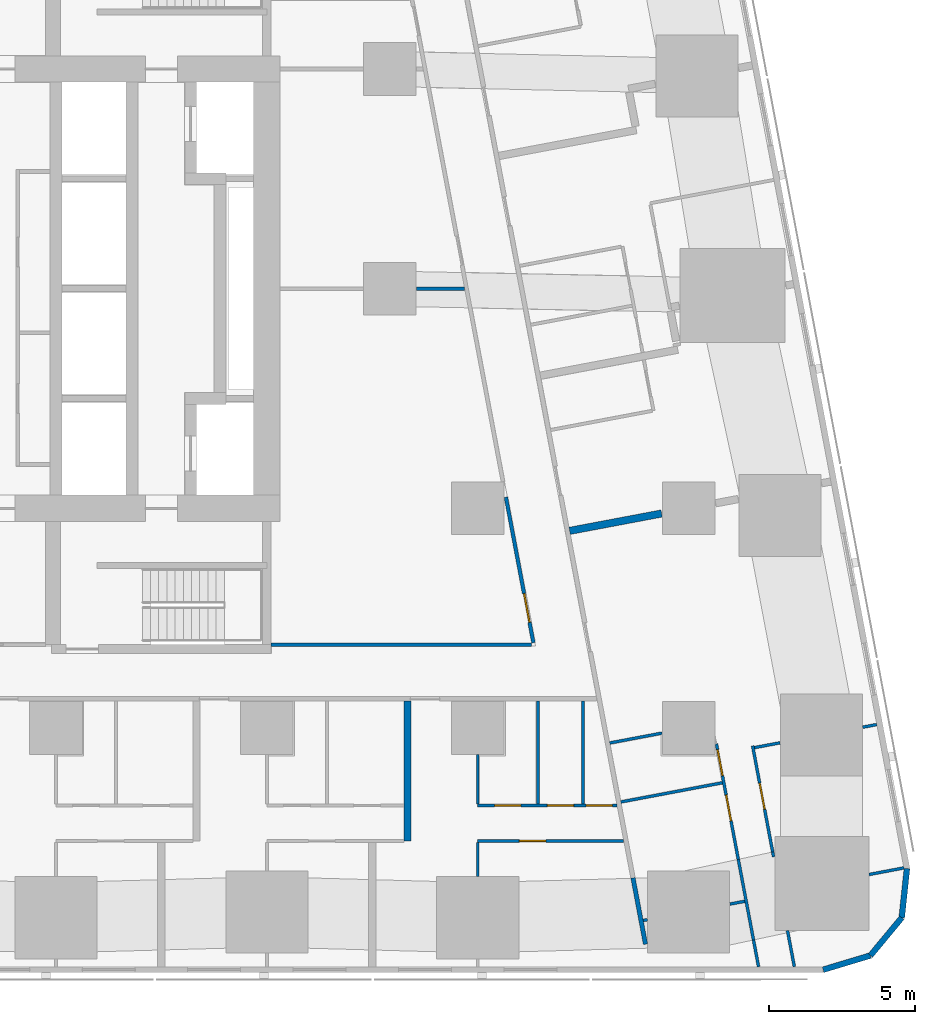
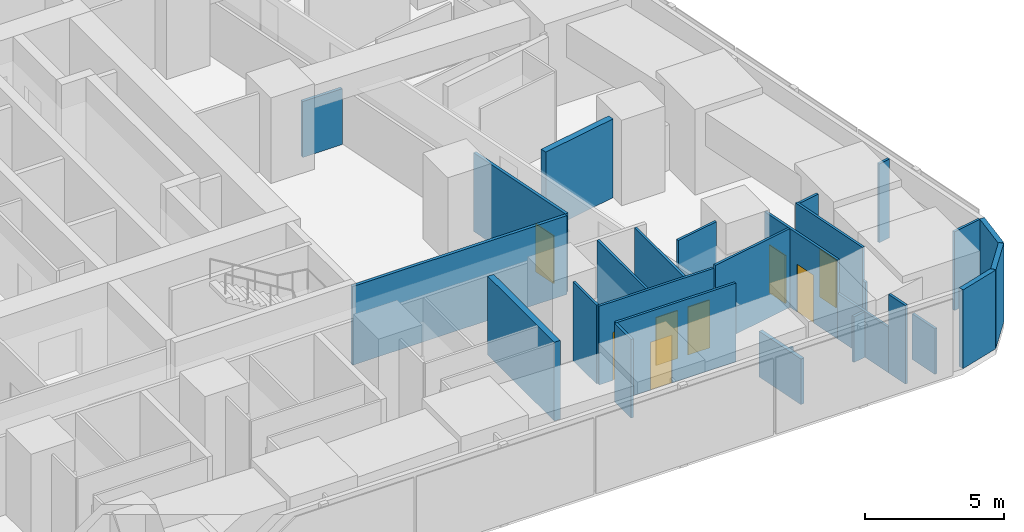
# One storey, part 6 of 15: 28 walls, 8 doors, 8 openings.
"""IFC4 building model written with IfcOpenShell, lengths in metres."""

from ifc_helpers import new_model, si_unit, direction, frame, frame_2d, origin, place, context, subcontext, project, spatial, rectangle, extrude, material, layer, layer_set, type_object, element, fill, save


model = new_model("IFC4")

# Units and contexts
model_context = context("Model", 3, precision=1e-05, world=origin(), true_north=direction((0.0, 1.0)))
body_context = subcontext(model_context, "Body", "Model", "MODEL_VIEW")
ifc_project = project(units=[si_unit("LENGTHUNIT", "METRE"), si_unit("AREAUNIT", "SQUARE_METRE"), si_unit("VOLUMEUNIT", "CUBIC_METRE"), si_unit("PLANEANGLEUNIT", "RADIAN"), si_unit("MASSUNIT", "GRAM", prefix="KILO")], contexts=[model_context])

# Site, building, storey
site_placement = place(None, origin())
site = spatial("IfcSite", under=ifc_project, at=site_placement, CompositionType="ELEMENT")
building_placement = place(site_placement, origin())
building = spatial("IfcBuilding", under=site, at=building_placement, Name="Sheger Commons Tower", CompositionType="ELEMENT")
storey_placement = place(building_placement, frame((0.0, 0.0, 68.75)))
storey = spatial("IfcBuildingStorey", under=building, at=storey_placement, Name="L17", CompositionType="ELEMENT", Elevation=68.75)

# Walls
ifc_material_1 = material(Name="Hollow concrete block masonry, skimmed both sides", Category="masonry")
ifc_layer_1 = layer(ifc_material_1, 0.14990234375)
ifc_layer_set_1 = layer_set([ifc_layer_1], Name="CORRIDOR WALL 150")
wall_type_1 = type_object("IfcWallType", Name="CORRIDOR WALL 150", PredefinedType="SOLIDWALL", material=ifc_layer_set_1)
wall_1_placement = place(storey_placement, frame((41.300048828125, 2.385009765625, 0.0), z_axis=(0.0, 0.0, 1.0), x_axis=(0.185170596553, -0.982706390624, 0.0)))
element("IfcWall", 1, at=wall_1_placement, inside=storey, type_object=wall_type_1, Name="Corridor wall L17", PredefinedType="SOLIDWALL", context=body_context, shape_type="SweptSolid", body=[
    extrude(rectangle(XDim=2.305908203125, YDim=0.14990234375, at=frame_2d((1.15283203125, 0.0))), origin(), (0.0, 0.0, 1.0), 2.0),
])
ifc_material_2 = material(Name="Dense concrete block masonry, plastered both sides (separating wall between flats)", Category="masonry")
ifc_layer_2 = layer(ifc_material_2, 0.25)
ifc_layer_set_2 = layer_set([ifc_layer_2], Name="DEMISING WALL 250")
wall_type_2 = type_object("IfcWallType", Name="DEMISING WALL 250", PredefinedType="SOLIDWALL", material=ifc_layer_set_2)
wall_2_placement = place(storey_placement, frame((33.59912109375, 3.64990234375, 0.0), z_axis=(0.0, 0.0, 1.0), x_axis=(0.0, 1.0, 0.0)))
element("IfcWall", 2, at=wall_2_placement, inside=storey, type_object=wall_type_2, Name="Demising wall L17", PredefinedType="SOLIDWALL", context=body_context, shape_type="SweptSolid", body=[
    extrude(rectangle(XDim=4.775146484375, YDim=0.25, at=frame_2d((2.3876953125, 0.0))), origin(), (0.0, 0.0, 1.0), 3.449951171875),
])
wall_3_placement = place(storey_placement, frame((42.27587890625, 14.824951171875, 0.0), z_axis=(0.0, 0.0, 1.0), x_axis=(-0.982607211054, -0.185696173318, 0.0)))
element("IfcWall", 3, at=wall_3_placement, inside=storey, type_object=wall_type_2, Name="Demising wall L17", PredefinedType="SOLIDWALL", context=body_context, shape_type="SweptSolid", body=[
    extrude(rectangle(XDim=3.193603515625, YDim=0.25, at=frame_2d((1.5966796875, 0.0))), origin(), (0.0, 0.0, 1.0), 3.449951171875),
])
ifc_material_3 = material(Name="Rendered concrete block masonry, dark grey", Category="masonry")
ifc_layer_3 = layer(ifc_material_3, 0.199951171875)
ifc_layer_set_3 = layer_set([ifc_layer_3], Name="FACADE WALL 200")
wall_type_3 = type_object("IfcWallType", Name="FACADE WALL 200", PredefinedType="SOLIDWALL", material=ifc_layer_set_3)
wall_4_placement = place(storey_placement, frame((47.791015625, -0.75, 0.0), z_axis=(0.0, 0.0, 1.0), x_axis=(0.957455232626, 0.288581838509, 0.0)))
element("IfcWall", 4, at=wall_4_placement, inside=storey, type_object=wall_type_3, Name="Facade wall L17", PredefinedType="SOLIDWALL", context=body_context, shape_type="SweptSolid", body=[
    extrude(rectangle(XDim=1.687744140625, YDim=0.199951171875, at=frame_2d((0.84375, 0.0))), origin(), (0.0, 0.0, 1.0), 3.449951171875),
])
wall_5_placement = place(storey_placement, frame((49.406982421875, -0.262939453125, 0.0), z_axis=(0.0, 0.0, 1.0), x_axis=(0.638042593423, 0.770001070764, 0.0)))
element("IfcWall", 5, at=wall_5_placement, inside=storey, type_object=wall_type_3, Name="Facade wall L17", PredefinedType="SOLIDWALL", context=body_context, shape_type="SweptSolid", body=[
    extrude(rectangle(XDim=1.672607421875, YDim=0.199951171875, at=frame_2d((0.83642578125, 0.0))), origin(), (0.0, 0.0, 1.0), 3.449951171875),
])
wall_6_placement = place(storey_placement, frame((50.47412109375, 1.02490234375, 0.0), z_axis=(0.0, 0.0, 1.0), x_axis=(0.106047815515, 0.994361031429, 0.0)))
element("IfcWall", 6, at=wall_6_placement, inside=storey, type_object=wall_type_3, Name="Facade wall L17", PredefinedType="SOLIDWALL", context=body_context, shape_type="SweptSolid", body=[
    extrude(rectangle(XDim=1.6875, YDim=0.199951171875, at=frame_2d((0.84375, 0.0))), origin(), (0.0, 0.0, 1.0), 3.449951171875),
])

# Wall, opening, door
ifc_material_4 = material(Name="Gypsum board on steel studs", Category="steel")
ifc_layer_4 = layer(ifc_material_4, 0.10009765625)
ifc_layer_set_4 = layer_set([ifc_layer_4], Name="PARTITION 100")
wall_type_4 = type_object("IfcWallType", Name="PARTITION 100", PredefinedType="PARTITIONING", material=ifc_layer_set_4)
wall_7_placement = place(storey_placement, frame((40.97509765625, 3.64990234375, 0.0), z_axis=(0.0, 0.0, 1.0), x_axis=(-1.0, 0.0, 0.0)))
wall_7 = element("IfcWall", 7, at=wall_7_placement, inside=storey, type_object=wall_type_4, Name="Partition L17", PredefinedType="PARTITIONING", context=body_context, shape_type="SweptSolid", body=[
    extrude(rectangle(XDim=4.97509765625, YDim=0.10009765625, at=frame_2d((2.487548828125, 0.0))), origin(), (0.0, 0.0, 1.0), 3.449951171875),
])
opening_1_placement = place(wall_7_placement, frame((2.64990234375, 0.0, 0.0)))
opening_1 = element("IfcOpeningElement", 8, at=opening_1_placement, cuts=wall_7, Name="Opening D2", PredefinedType="OPENING", context=body_context, shape_type="SweptSolid", body=[
    extrude(rectangle(XDim=0.89990234375, YDim=2.10009765625, at=frame_2d((0.449951171875, 1.050048828125))), frame((0.0, 0.06005859375, 0.0), z_axis=(0.0, -1.0, 0.0), x_axis=(1.0, 0.0, 0.0)), (0.0, 0.0, 1.0), 0.1201171875),
])
ifc_material_5 = material(Name="Timber door set", Category="wood")
door_type_1 = type_object("IfcDoorType", Name="INTERNAL DOOR 900x2100", OperationType="NOTDEFINED", PredefinedType="DOOR", material=ifc_material_5)
door_1_placement = place(opening_1_placement, origin())
door_1 = element("IfcDoor", 9, at=door_1_placement, inside=storey, type_object=door_type_1, Name="Main bedroom door", OperationType="SINGLE_SWING_RIGHT", OverallHeight=2.10009765625, OverallWidth=0.89990234375, PredefinedType="DOOR", context=body_context, shape_type="SweptSolid", body=[
    extrude(rectangle(XDim=0.89990234375, YDim=2.10009765625, at=frame_2d((0.449951171875, 1.050048828125))), frame((0.0, 0.02490234375, 0.0), z_axis=(0.0, -1.0, 0.0), x_axis=(1.0, 0.0, 0.0)), (0.0, 0.0, 1.0), 0.050048828125),
])
fill(opening_1, door_1)

# Wall, openings, doors
wall_8_placement = place(storey_placement, frame((40.748046875, 4.85009765625, 0.0), z_axis=(0.0, 0.0, 1.0), x_axis=(-1.0, 0.0, 0.0)))
wall_8 = element("IfcWall", 10, at=wall_8_placement, inside=storey, type_object=wall_type_4, Name="Partition L17", PredefinedType="PARTITIONING", context=body_context, shape_type="SweptSolid", body=[
    extrude(rectangle(XDim=4.748046875, YDim=0.10009765625, at=frame_2d((2.3740234375, 0.0))), origin(), (0.0, 0.0, 1.0), 3.449951171875),
])
opening_2_placement = place(wall_8_placement, frame((3.27294921875, 0.0, 0.0)))
opening_2 = element("IfcOpeningElement", 11, at=opening_2_placement, cuts=wall_8, Name="Opening D2", PredefinedType="OPENING", context=body_context, shape_type="SweptSolid", body=[
    extrude(rectangle(XDim=0.89990234375, YDim=2.10009765625, at=frame_2d((0.449951171875, 1.050048828125))), frame((0.0, 0.06005859375, 0.0), z_axis=(0.0, -1.0, 0.0), x_axis=(1.0, 0.0, 0.0)), (0.0, 0.0, 1.0), 0.1201171875),
])
opening_3_placement = place(wall_8_placement, frame((0.14990234375, 0.0, 0.0)))
opening_3 = element("IfcOpeningElement", 12, at=opening_3_placement, cuts=wall_8, Name="Opening D2", PredefinedType="OPENING", context=body_context, shape_type="SweptSolid", body=[
    extrude(rectangle(XDim=0.89990234375, YDim=2.10009765625, at=frame_2d((0.449951171875, 1.050048828125))), frame((0.0, 0.06005859375, 0.0), z_axis=(0.0, -1.0, 0.0), x_axis=(1.0, 0.0, 0.0)), (0.0, 0.0, 1.0), 0.1201171875),
])
opening_4_placement = place(wall_8_placement, frame((1.472900390625, 0.0, 0.0)))
opening_4 = element("IfcOpeningElement", 13, at=opening_4_placement, cuts=wall_8, Name="Opening D2", PredefinedType="OPENING", context=body_context, shape_type="SweptSolid", body=[
    extrude(rectangle(XDim=0.89990234375, YDim=2.10009765625, at=frame_2d((0.449951171875, 1.050048828125))), frame((0.0, 0.06005859375, 0.0), z_axis=(0.0, -1.0, 0.0), x_axis=(1.0, 0.0, 0.0)), (0.0, 0.0, 1.0), 0.1201171875),
])
door_2_placement = place(opening_2_placement, origin())
door_2 = element("IfcDoor", 14, at=door_2_placement, inside=storey, type_object=door_type_1, Name="Bathroom door", OperationType="SINGLE_SWING_LEFT", OverallHeight=2.10009765625, OverallWidth=0.89990234375, PredefinedType="DOOR", context=body_context, shape_type="SweptSolid", body=[
    extrude(rectangle(XDim=0.89990234375, YDim=2.10009765625, at=frame_2d((0.449951171875, 1.050048828125))), frame((0.0, 0.02490234375, 0.0), z_axis=(0.0, -1.0, 0.0), x_axis=(1.0, 0.0, 0.0)), (0.0, 0.0, 1.0), 0.050048828125),
])
fill(opening_2, door_2)
door_3_placement = place(opening_3_placement, origin())
door_3 = element("IfcDoor", 15, at=door_3_placement, inside=storey, type_object=door_type_1, Name="Laundry room door", OperationType="SINGLE_SWING_RIGHT", OverallHeight=2.10009765625, OverallWidth=0.89990234375, PredefinedType="DOOR", context=body_context, shape_type="SweptSolid", body=[
    extrude(rectangle(XDim=0.89990234375, YDim=2.10009765625, at=frame_2d((0.449951171875, 1.050048828125))), frame((0.0, 0.02490234375, 0.0), z_axis=(0.0, -1.0, 0.0), x_axis=(1.0, 0.0, 0.0)), (0.0, 0.0, 1.0), 0.050048828125),
])
fill(opening_3, door_3)
door_4_placement = place(opening_4_placement, origin())
door_4 = element("IfcDoor", 16, at=door_4_placement, inside=storey, type_object=door_type_1, Name="Store door", OperationType="SINGLE_SWING_LEFT", OverallHeight=2.10009765625, OverallWidth=0.89990234375, PredefinedType="DOOR", context=body_context, shape_type="SweptSolid", body=[
    extrude(rectangle(XDim=0.89990234375, YDim=2.10009765625, at=frame_2d((0.449951171875, 1.050048828125))), frame((0.0, 0.02490234375, 0.0), z_axis=(0.0, -1.0, 0.0), x_axis=(1.0, 0.0, 0.0)), (0.0, 0.0, 1.0), 0.050048828125),
])
fill(opening_4, door_4)

# Walls
wall_9_placement = place(storey_placement, frame((36.0, 2.426025390625, 0.0), z_axis=(0.0, 0.0, 1.0), x_axis=(0.0, 1.0, 0.0)))
element("IfcWall", 17, at=wall_9_placement, inside=storey, type_object=wall_type_4, Name="Partition L17", PredefinedType="PARTITIONING", context=body_context, shape_type="SweptSolid", body=[
    extrude(rectangle(XDim=1.174072265625, YDim=0.10009765625, at=frame_2d((0.5869140625, 0.0))), origin(), (0.0, 0.0, 1.0), 3.449951171875),
])
wall_10_placement = place(storey_placement, frame((36.0, 4.89990234375, 0.0), z_axis=(0.0, 0.0, 1.0), x_axis=(0.0, 1.0, 0.0)))
element("IfcWall", 18, at=wall_10_placement, inside=storey, type_object=wall_type_4, Name="Partition L17", PredefinedType="PARTITIONING", context=body_context, shape_type="SweptSolid", body=[
    extrude(rectangle(XDim=1.69921875, YDim=0.10009765625, at=frame_2d((0.849609375, 0.0))), origin(), (0.0, 0.0, 1.0), 3.449951171875),
])
for number, where, z_axis, x_axis, name in (
    (19, (39.60009765625, 4.89990234375, 0.0), (0.0, 0.0, 1.0), (0.0, 1.0, 0.0), "Partition L17"),
    (20, (38.050048828125, 4.89990234375, 0.0), (0.0, 0.0, 1.0), (0.0, 1.0, 0.0), "Partition L17"),
):
    element("IfcWall", number, at=place(storey_placement, frame(where, z_axis=z_axis, x_axis=x_axis)), inside=storey, type_object=wall_type_4, Name=name, PredefinedType="PARTITIONING", context=body_context, shape_type="SweptSolid", body=[
        extrude(rectangle(XDim=3.525146484375, YDim=0.10009765625, at=frame_2d((1.7626953125, 0.0))), origin(), (0.0, 0.0, 1.0), 3.449951171875),
    ])

# Wall, opening, door
wall_11_placement = place(storey_placement, frame((45.383056640625, 6.89404296875, 0.0), z_axis=(0.0, 0.0, 1.0), x_axis=(0.185791461635, -0.982589198385, 0.0)))
wall_11 = element("IfcWall", 21, at=wall_11_placement, inside=storey, type_object=wall_type_4, Name="Partition L17", PredefinedType="PARTITIONING", context=body_context, shape_type="SweptSolid", body=[
    extrude(rectangle(XDim=3.687255859375, YDim=0.10009765625, at=frame_2d((1.84375, 0.0))), origin(), (0.0, 0.0, 1.0), 3.449951171875),
])
opening_5_placement = place(wall_11_placement, frame((1.300048828125, 0.0, 0.0)))
opening_5 = element("IfcOpeningElement", 22, at=opening_5_placement, cuts=wall_11, Name="Opening D2", PredefinedType="OPENING", context=body_context, shape_type="SweptSolid", body=[
    extrude(rectangle(XDim=0.89990234375, YDim=2.10009765625, at=frame_2d((0.449951171875, 1.050048828125))), frame((0.0, 0.06005859375, 0.0), z_axis=(0.0, -1.0, 0.0), x_axis=(1.0, 0.0, 0.0)), (0.0, 0.0, 1.0), 0.1201171875),
])
door_5_placement = place(opening_5_placement, origin())
door_5 = element("IfcDoor", 23, at=door_5_placement, inside=storey, type_object=door_type_1, Name="Main bedroom door", OperationType="SINGLE_SWING_LEFT", OverallHeight=2.10009765625, OverallWidth=0.89990234375, PredefinedType="DOOR", context=body_context, shape_type="SweptSolid", body=[
    extrude(rectangle(XDim=0.89990234375, YDim=2.10009765625, at=frame_2d((0.449951171875, 1.050048828125))), frame((0.0, 0.02490234375, 0.0), z_axis=(0.0, -1.0, 0.0), x_axis=(1.0, 0.0, 0.0)), (0.0, 0.0, 1.0), 0.050048828125),
])
fill(opening_5, door_5)

# Walls
wall_12_placement = place(storey_placement, frame((46.068115234375, 3.27099609375, 0.0), z_axis=(0.0, 0.0, 1.0), x_axis=(0.183590240121, -0.98300286049, 0.0)))
element("IfcWall", 24, at=wall_12_placement, inside=storey, type_object=wall_type_4, Name="Partition L17", PredefinedType="PARTITIONING", context=body_context, shape_type="SweptSolid", body=[
    extrude(rectangle(XDim=0.1689453125, YDim=0.10009765625, at=frame_2d((0.08447265625, 0.0))), origin(), (0.0, 0.0, 1.0), 2.0),
])
wall_13_placement = place(storey_placement, frame((46.573974609375, 0.5869140625, 0.0), z_axis=(0.0, 0.0, 1.0), x_axis=(0.185997942803, -0.98255013372, 0.0)))
element("IfcWall", 25, at=wall_13_placement, inside=storey, type_object=wall_type_4, Name="Partition L17", PredefinedType="PARTITIONING", context=body_context, shape_type="SweptSolid", body=[
    extrude(rectangle(XDim=1.2587890625, YDim=0.10009765625, at=frame_2d((0.62939453125, 0.0))), origin(), (0.0, 0.0, 1.0), 2.0),
])

# Wall, openings, doors
wall_14_placement = place(storey_placement, frame((44.14892578125, 6.9599609375, 0.0), z_axis=(0.0, 0.0, 1.0), x_axis=(0.185824941804, -0.982582867245, 0.0)))
wall_14 = element("IfcWall", 26, at=wall_14_placement, inside=storey, type_object=wall_type_4, Name="Partition L17", PredefinedType="PARTITIONING", context=body_context, shape_type="SweptSolid", body=[
    extrude(rectangle(XDim=4.009765625, YDim=0.10009765625, at=frame_2d((2.0048828125, 0.0))), origin(), (0.0, 0.0, 1.0), 3.449951171875),
])
opening_6_placement = place(wall_14_placement, frame((0.199951171875, 0.0, 0.0)))
opening_6 = element("IfcOpeningElement", 27, at=opening_6_placement, cuts=wall_14, Name="Opening D2", PredefinedType="OPENING", context=body_context, shape_type="SweptSolid", body=[
    extrude(rectangle(XDim=0.89990234375, YDim=2.10009765625, at=frame_2d((0.449951171875, 1.050048828125))), frame((0.0, 0.06005859375, 0.0), z_axis=(0.0, -1.0, 0.0), x_axis=(1.0, 0.0, 0.0)), (0.0, 0.0, 1.0), 0.1201171875),
])
opening_7_placement = place(wall_14_placement, frame((1.77587890625, 0.0, 0.0)))
opening_7 = element("IfcOpeningElement", 28, at=opening_7_placement, cuts=wall_14, Name="Opening D2", PredefinedType="OPENING", context=body_context, shape_type="SweptSolid", body=[
    extrude(rectangle(XDim=0.89990234375, YDim=2.10009765625, at=frame_2d((0.449951171875, 1.050048828125))), frame((0.0, 0.06005859375, 0.0), z_axis=(0.0, -1.0, 0.0), x_axis=(1.0, 0.0, 0.0)), (0.0, 0.0, 1.0), 0.1201171875),
])
door_6_placement = place(opening_6_placement, origin())
door_6 = element("IfcDoor", 29, at=door_6_placement, inside=storey, type_object=door_type_1, Name="Bathroom door", OperationType="SINGLE_SWING_LEFT", OverallHeight=2.10009765625, OverallWidth=0.89990234375, PredefinedType="DOOR", context=body_context, shape_type="SweptSolid", body=[
    extrude(rectangle(XDim=0.89990234375, YDim=2.10009765625, at=frame_2d((0.449951171875, 1.050048828125))), frame((0.0, 0.02490234375, 0.0), z_axis=(0.0, -1.0, 0.0), x_axis=(1.0, 0.0, 0.0)), (0.0, 0.0, 1.0), 0.050048828125),
])
fill(opening_6, door_6)
door_7_placement = place(opening_7_placement, origin())
door_7 = element("IfcDoor", 30, at=door_7_placement, inside=storey, type_object=door_type_1, Name="Store door", OperationType="SINGLE_SWING_RIGHT", OverallHeight=2.10009765625, OverallWidth=0.89990234375, PredefinedType="DOOR", context=body_context, shape_type="SweptSolid", body=[
    extrude(rectangle(XDim=0.89990234375, YDim=2.10009765625, at=frame_2d((0.449951171875, 1.050048828125))), frame((0.0, 0.02490234375, 0.0), z_axis=(0.0, -1.0, 0.0), x_axis=(1.0, 0.0, 0.0)), (0.0, 0.0, 1.0), 0.050048828125),
])
fill(opening_7, door_7)

# Walls
wall_15_placement = place(storey_placement, frame((44.89404296875, 3.02001953125, 0.0), z_axis=(0.0, 0.0, 1.0), x_axis=(0.185471317237, -0.982649678412, 0.0)))
element("IfcWall", 31, at=wall_15_placement, inside=storey, type_object=wall_type_4, Name="Partition L17", PredefinedType="PARTITIONING", context=body_context, shape_type="SweptSolid", body=[
    extrude(rectangle(XDim=2.8037109375, YDim=0.10009765625, at=frame_2d((1.40185546875, 0.0))), origin(), (0.0, 0.0, 1.0), 2.0),
])
wall_16_placement = place(storey_placement, frame((45.4140625, 0.264892578125, 0.0), z_axis=(0.0, 0.0, 1.0), x_axis=(0.185665855771, -0.982612940074, 0.0)))
element("IfcWall", 32, at=wall_16_placement, inside=storey, type_object=wall_type_4, Name="Partition L17", PredefinedType="PARTITIONING", context=body_context, shape_type="SweptSolid", body=[
    extrude(rectangle(XDim=0.930908203125, YDim=0.10009765625, at=frame_2d((0.46533203125, 0.0))), origin(), (0.0, 0.0, 1.0), 3.449951171875),
])
wall_17_placement = place(storey_placement, frame((49.6220703125, 7.6201171875, 0.0), z_axis=(0.0, 0.0, 1.0), x_axis=(-0.982629142467, -0.185580086147, 0.0)))
element("IfcWall", 33, at=wall_17_placement, inside=storey, type_object=wall_type_4, Name="Partition L17", PredefinedType="PARTITIONING", context=body_context, shape_type="SweptSolid", body=[
    extrude(rectangle(XDim=0.49072265625, YDim=0.10009765625, at=frame_2d((0.245361328125, 0.0))), origin(), (0.0, 0.0, 1.0), 3.449951171875),
])
wall_18_placement = place(storey_placement, frame((46.320068359375, 6.9970703125, 0.0), z_axis=(0.0, 0.0, 1.0), x_axis=(-0.982635224332, -0.185547880349, 0.0)))
element("IfcWall", 34, at=wall_18_placement, inside=storey, type_object=wall_type_4, Name="Partition L17", PredefinedType="PARTITIONING", context=body_context, shape_type="SweptSolid", body=[
    extrude(rectangle(XDim=0.889404296875, YDim=0.10009765625, at=frame_2d((0.44482421875, 0.0))), origin(), (0.0, 0.0, 1.0), 3.449951171875),
])
wall_19_placement = place(storey_placement, frame((50.547119140625, 2.72607421875, 0.0), z_axis=(0.0, 0.0, 1.0), x_axis=(-0.982553313503, -0.185981144539, 0.0)))
element("IfcWall", 35, at=wall_19_placement, inside=storey, type_object=wall_type_4, Name="Partition L17", PredefinedType="PARTITIONING", context=body_context, shape_type="SweptSolid", body=[
    extrude(rectangle(XDim=1.210205078125, YDim=0.10009765625, at=frame_2d((0.60498046875, 0.0))), origin(), (0.0, 0.0, 1.0), 3.449951171875),
])
wall_20_placement = place(storey_placement, frame((42.2900390625, 7.327880859375, 0.0), z_axis=(0.0, 0.0, 1.0), x_axis=(-0.98262927905, -0.185579362952, 0.0)))
element("IfcWall", 36, at=wall_20_placement, inside=storey, type_object=wall_type_4, Name="Partition L17", PredefinedType="PARTITIONING", context=body_context, shape_type="SweptSolid", body=[
    extrude(rectangle(XDim=1.8154296875, YDim=0.10009765625, at=frame_2d((0.90771484375, 0.0))), origin(), (0.0, 0.0, 1.0), 3.449951171875),
])
wall_21_placement = place(storey_placement, frame((45.114013671875, 1.5869140625, 0.0), z_axis=(0.0, 0.0, 1.0), x_axis=(-0.982699277433, -0.185208342501, 0.0)))
element("IfcWall", 37, at=wall_21_placement, inside=storey, type_object=wall_type_4, Name="Partition L17", PredefinedType="PARTITIONING", context=body_context, shape_type="SweptSolid", body=[
    extrude(rectangle(XDim=0.5126953125, YDim=0.10009765625, at=frame_2d((0.25634765625, 0.0))), origin(), (0.0, 0.0, 1.0), 2.0),
])
wall_22_placement = place(storey_placement, frame((41.7900390625, 0.958984375, 0.0), z_axis=(0.0, 0.0, 1.0), x_axis=(-0.983372768072, -0.181598455428, 0.0)))
element("IfcWall", 38, at=wall_22_placement, inside=storey, type_object=wall_type_4, Name="Partition L17", PredefinedType="PARTITIONING", context=body_context, shape_type="SweptSolid", body=[
    extrude(rectangle(XDim=0.142578125, YDim=0.10009765625, at=frame_2d((0.0712890625, 0.0))), origin(), (0.0, 0.0, 1.0), 2.0),
])
wall_23_placement = place(storey_placement, frame((44.34912109375, 5.631103515625, 0.0), z_axis=(0.0, 0.0, 1.0), x_axis=(-0.982629014545, -0.18558076348, 0.0)))
element("IfcWall", 39, at=wall_23_placement, inside=storey, type_object=wall_type_4, Name="Partition L17", PredefinedType="PARTITIONING", context=body_context, shape_type="SweptSolid", body=[
    extrude(rectangle(XDim=3.5244140625, YDim=0.10009765625, at=frame_2d((1.76220703125, 0.0))), origin(), (0.0, 0.0, 1.0), 3.449951171875),
])
ifc_material_6 = material(Name="Gypsum board on steel studs, two layers each side, fire rated", Category="steel")
ifc_layer_5 = layer(ifc_material_6, 0.125)
ifc_layer_set_5 = layer_set([ifc_layer_5], Name="SERVICE WALL 125")
wall_type_5 = type_object("IfcWallType", Name="SERVICE WALL 125", PredefinedType="PARTITIONING", material=ifc_layer_set_5)
wall_24_placement = place(storey_placement, frame((28.949951171875, 10.35009765625, 0.0), z_axis=(0.0, 0.0, 1.0), x_axis=(1.0, 0.0, 0.0)))
element("IfcWall", 40, at=wall_24_placement, inside=storey, type_object=wall_type_5, Name="Service room wall L17", PredefinedType="PARTITIONING", context=body_context, shape_type="SweptSolid", body=[
    extrude(rectangle(XDim=8.885986328125, YDim=0.125, at=frame_2d((4.44287109375, 0.0))), origin(), (0.0, 0.0, 1.0), 3.449951171875),
])

# Wall, opening, door
wall_25_placement = place(storey_placement, frame((37.89990234375, 10.4130859375, 0.0), z_axis=(0.0, 0.0, 1.0), x_axis=(-0.185527510388, 0.982639070508, 0.0)))
wall_25 = element("IfcWall", 41, at=wall_25_placement, inside=storey, type_object=wall_type_5, Name="Service room wall L17", PredefinedType="PARTITIONING", context=body_context, shape_type="SweptSolid", body=[
    extrude(rectangle(XDim=5.055908203125, YDim=0.125, at=frame_2d((2.52783203125, 0.0))), origin(), (0.0, 0.0, 1.0), 3.449951171875),
])
opening_8_placement = place(wall_25_placement, frame((0.7080078125, 0.0, 0.0)))
opening_8 = element("IfcOpeningElement", 42, at=opening_8_placement, cuts=wall_25, Name="Opening D4", PredefinedType="OPENING", context=body_context, shape_type="SweptSolid", body=[
    extrude(rectangle(XDim=1.0, YDim=2.10009765625, at=frame_2d((0.5, 1.050048828125))), frame((0.0, 0.072509765625, 0.0), z_axis=(0.0, -1.0, 0.0), x_axis=(1.0, 0.0, 0.0)), (0.0, 0.0, 1.0), 0.14501953125),
])
ifc_material_7 = material(Name="Steel door set, fire rated", Category="steel")
door_type_2 = type_object("IfcDoorType", Name="SERVICE DOOR 1000x2100", OperationType="NOTDEFINED", PredefinedType="DOOR", material=ifc_material_7)
door_8_placement = place(opening_8_placement, origin())
door_8 = element("IfcDoor", 43, at=door_8_placement, inside=storey, type_object=door_type_2, Name="Children's play room door", OperationType="SINGLE_SWING_LEFT", OverallHeight=2.10009765625, OverallWidth=1.0, PredefinedType="DOOR", context=body_context, shape_type="SweptSolid", body=[
    extrude(rectangle(XDim=1.0, YDim=2.10009765625, at=frame_2d((0.5, 1.050048828125))), frame((0.0, 0.02490234375, 0.0), z_axis=(0.0, -1.0, 0.0), x_axis=(1.0, 0.0, 0.0)), (0.0, 0.0, 1.0), 0.050048828125),
])
fill(opening_8, door_8)

# Wall
wall_26_placement = place(storey_placement, frame((33.90087890625, 22.5, 0.0), z_axis=(0.0, 0.0, 1.0), x_axis=(1.0, 0.0, 0.0)))
element("IfcWall", 44, at=wall_26_placement, inside=storey, type_object=wall_type_5, Name="Service room wall L17", PredefinedType="PARTITIONING", context=body_context, shape_type="SweptSolid", body=[
    extrude(rectangle(XDim=1.64111328125, YDim=0.125, at=frame_2d((0.820556640625, 0.0))), origin(), (0.0, 0.0, 1.0), 2.449951171875),
])

save(model, "model.ifc")
